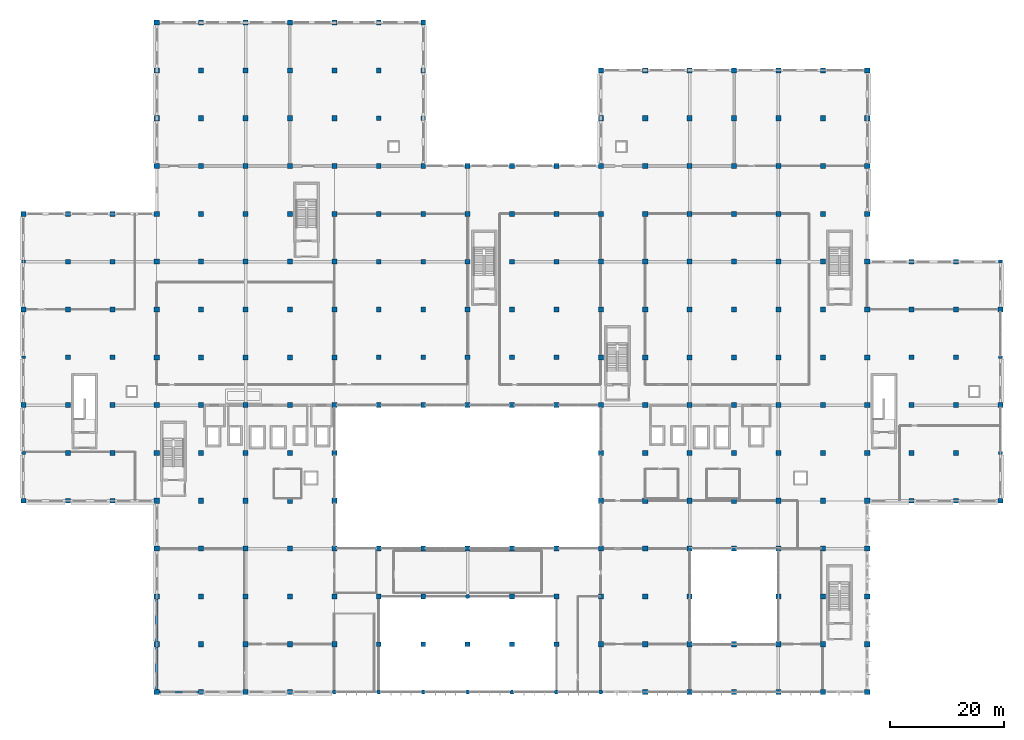
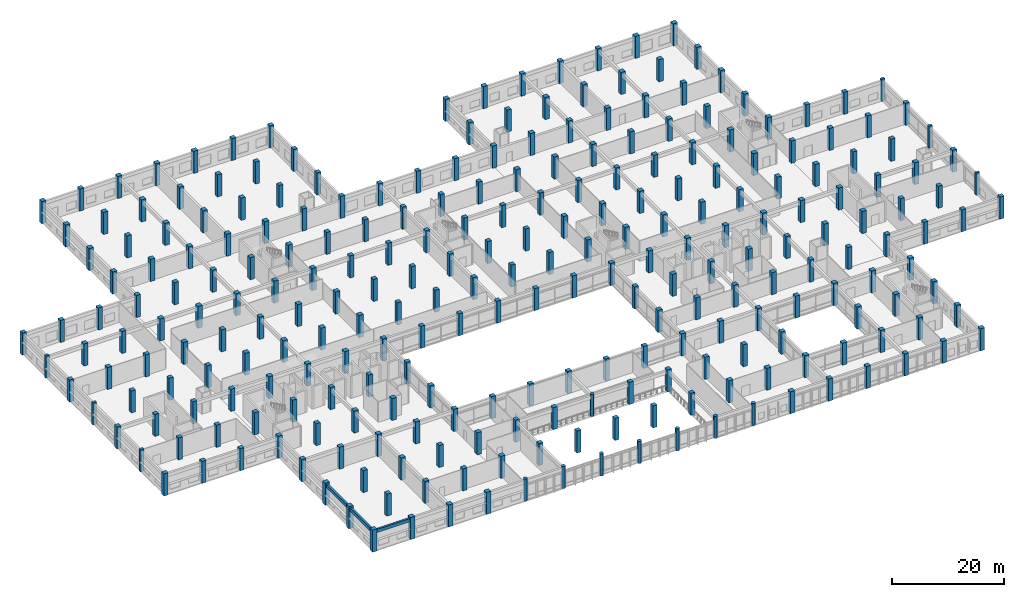
# One storey, part 1 of 79: 267 columns, 3 beams.
"""IFC4 building model written with IfcOpenShell, lengths in metres."""

from ifc_helpers import new_model, si_unit, direction, frame, origin, origin_2d, place, context, subcontext, project, spatial, rectangle, circle, extrude, material, material_profile, profile_set, type_object, element, save


model = new_model("IFC4")

# Units and contexts
model_context = context("Model", 3, precision=1e-05, world=origin(), true_north=direction((0.0, 1.0)))
body_context = subcontext(model_context, "Body", "Model", "MODEL_VIEW")
ifc_project = project(units=[si_unit("LENGTHUNIT", "METRE"), si_unit("AREAUNIT", "SQUARE_METRE"), si_unit("VOLUMEUNIT", "CUBIC_METRE"), si_unit("PLANEANGLEUNIT", "RADIAN"), si_unit("MASSUNIT", "GRAM", prefix="KILO"), si_unit("THERMODYNAMICTEMPERATUREUNIT", "KELVIN"), si_unit("POWERUNIT", "WATT")], contexts=[model_context])

# Site, building, storey
site_placement = place(None, origin())
site = spatial("IfcSite", under=ifc_project, at=site_placement, CompositionType="ELEMENT")
building_placement = place(site_placement, origin())
building = spatial("IfcBuilding", under=site, at=building_placement, Name="Srebrne Nadtorze General Hospital", CompositionType="ELEMENT")
storey_placement = place(building_placement, frame((0.0, 0.0, 4.800048828125)))
storey = spatial("IfcBuildingStorey", under=building, at=storey_placement, Name="L01", CompositionType="ELEMENT", Elevation=4.800048828125)

# Columns
ifc_material_1 = material(Name="Concrete C40/50", Category="concrete")
ifc_material_profile_1 = material_profile(ifc_material_1, rectangle(XDim=0.5, YDim=0.75, at=origin_2d()), Name="RC-PIL-500x750")
ifc_profile_set_1 = profile_set([ifc_material_profile_1], Name="Concrete C40/50")
column_type_1 = type_object("IfcColumnType", Name="Pilaster column 500x750", PredefinedType="PILASTER", material=ifc_profile_set_1)
for number, where, z_axis, x_axis, name in (
    (1, (0.0, 42.0, 0.0), (0.0, 0.0, 1.0), (0.0, 1.0, 0.0), "Column CL-L01-1-F"),
    (2, (0.0, 58.800048828125, 0.0), (0.0, 0.0, 1.0), (0.0, 1.0, 0.0), "Column CL-L01-1-H"),
    (3, (0.0, 75.60009765625, 0.0), (0.0, 0.0, 1.0), (0.0, 1.0, 0.0), "Column CL-L01-1-K"),
    (4, (171.60009765625, 42.0, 0.0), (0.0, 0.0, 1.0), (0.0, 1.0, 0.0), "Column CL-L01-23-F"),
    (5, (171.60009765625, 58.800048828125, 0.0), (0.0, 0.0, 1.0), (0.0, 1.0, 0.0), "Column CL-L01-23-H"),
    (6, (171.60009765625, 75.60009765625, 0.0), (0.0, 0.0, 1.0), (0.0, 1.0, 0.0), "Column CL-L01-23-K"),
):
    element("IfcColumn", number, at=place(storey_placement, frame(where, z_axis=z_axis, x_axis=x_axis)), inside=storey, type_object=column_type_1, Name=name, PredefinedType="PILASTER", context=body_context, shape_type="SweptSolid", body=[
        extrude(rectangle(XDim=0.5, YDim=0.75, at=origin_2d()), origin(), (0.0, 0.0, 1.0), 4.800048828125),
    ])
ifc_material_2 = material(Name="Concrete C40/50", Category="concrete")
ifc_material_profile_2 = material_profile(ifc_material_2, rectangle(XDim=0.85009765625, YDim=0.85009765625, at=origin_2d()), Name="RC-COL-850x850")
ifc_profile_set_2 = profile_set([ifc_material_profile_2], Name="Concrete C40/50")
column_type_2 = type_object("IfcColumnType", Name="Reinforced concrete column 850x850", PredefinedType="COLUMN", material=ifc_profile_set_2)
for number, where, z_axis, x_axis, name in (
    (7, (0.0, 33.60009765625, 0.0), (0.0, 0.0, 1.0), (1.0, 0.0, 0.0), "Column CL-L01-1-E"),
    (8, (0.0, 50.39990234375, 0.0), (0.0, 0.0, 1.0), (1.0, 0.0, 0.0), "Column CL-L01-1-G"),
    (9, (0.0, 67.199951171875, 0.0), (0.0, 0.0, 1.0), (1.0, 0.0, 0.0), "Column CL-L01-1-J"),
    (10, (0.0, 84.0, 0.0), (0.0, 0.0, 1.0), (1.0, 0.0, 0.0), "Column CL-L01-1-L"),
    (11, (7.800048828125, 33.60009765625, 0.0), (0.0, 0.0, 1.0), (1.0, 0.0, 0.0), "Column CL-L01-2-E"),
    (12, (7.800048828125, 42.0, 0.0), (0.0, 0.0, 1.0), (1.0, 0.0, 0.0), "Column CL-L01-2-F"),
    (13, (7.800048828125, 50.39990234375, 0.0), (0.0, 0.0, 1.0), (1.0, 0.0, 0.0), "Column CL-L01-2-G"),
    (14, (7.800048828125, 58.800048828125, 0.0), (0.0, 0.0, 1.0), (1.0, 0.0, 0.0), "Column CL-L01-2-H"),
    (15, (7.800048828125, 67.199951171875, 0.0), (0.0, 0.0, 1.0), (1.0, 0.0, 0.0), "Column CL-L01-2-J"),
    (16, (7.800048828125, 75.60009765625, 0.0), (0.0, 0.0, 1.0), (1.0, 0.0, 0.0), "Column CL-L01-2-K"),
    (17, (7.800048828125, 84.0, 0.0), (0.0, 0.0, 1.0), (1.0, 0.0, 0.0), "Column CL-L01-2-L"),
    (18, (15.60009765625, 33.60009765625, 0.0), (0.0, 0.0, 1.0), (1.0, 0.0, 0.0), "Column CL-L01-3-E"),
    (19, (15.60009765625, 42.0, 0.0), (0.0, 0.0, 1.0), (1.0, 0.0, 0.0), "Column CL-L01-3-F"),
    (20, (15.60009765625, 50.39990234375, 0.0), (0.0, 0.0, 1.0), (1.0, 0.0, 0.0), "Column CL-L01-3-G"),
    (21, (15.60009765625, 58.800048828125, 0.0), (0.0, 0.0, 1.0), (1.0, 0.0, 0.0), "Column CL-L01-3-H"),
    (22, (15.60009765625, 67.199951171875, 0.0), (0.0, 0.0, 1.0), (1.0, 0.0, 0.0), "Column CL-L01-3-J"),
    (23, (15.60009765625, 75.60009765625, 0.0), (0.0, 0.0, 1.0), (1.0, 0.0, 0.0), "Column CL-L01-3-K"),
    (24, (15.60009765625, 84.0, 0.0), (0.0, 0.0, 1.0), (1.0, 0.0, 0.0), "Column CL-L01-3-L"),
    (25, (62.39990234375, 8.39990234375, 0.0), (0.0, 0.0, 1.0), (1.0, 0.0, 0.0), "Column CL-L01-9-B"),
    (26, (62.39990234375, 16.800048828125, 0.0), (0.0, 0.0, 1.0), (1.0, 0.0, 0.0), "Column CL-L01-9-C"),
    (27, (62.39990234375, 25.199951171875, 0.0), (0.0, 0.0, 1.0), (1.0, 0.0, 0.0), "Column CL-L01-9-D"),
    (28, (62.39990234375, 50.39990234375, 0.0), (0.0, 0.0, 1.0), (1.0, 0.0, 0.0), "Column CL-L01-9-G"),
    (29, (62.39990234375, 58.800048828125, 0.0), (0.0, 0.0, 1.0), (1.0, 0.0, 0.0), "Column CL-L01-9-H"),
    (30, (62.39990234375, 67.199951171875, 0.0), (0.0, 0.0, 1.0), (1.0, 0.0, 0.0), "Column CL-L01-9-J"),
    (31, (62.39990234375, 75.60009765625, 0.0), (0.0, 0.0, 1.0), (1.0, 0.0, 0.0), "Column CL-L01-9-K"),
    (32, (62.39990234375, 84.0, 0.0), (0.0, 0.0, 1.0), (1.0, 0.0, 0.0), "Column CL-L01-9-L"),
    (33, (62.39990234375, 92.39990234375, 0.0), (0.0, 0.0, 1.0), (1.0, 0.0, 0.0), "Column CL-L01-9-M"),
    (34, (62.39990234375, 100.800048828125, 0.0), (0.0, 0.0, 1.0), (1.0, 0.0, 0.0), "Column CL-L01-9-N"),
    (35, (62.39990234375, 109.199951171875, 0.0), (0.0, 0.0, 1.0), (1.0, 0.0, 0.0), "Column CL-L01-9-P"),
    (36, (62.39990234375, 117.60009765625, 0.0), (0.0, 0.0, 1.0), (1.0, 0.0, 0.0), "Column CL-L01-9-Q"),
    (37, (70.199951171875, 8.39990234375, 0.0), (0.0, 0.0, 1.0), (1.0, 0.0, 0.0), "Column CL-L01-10-B"),
    (38, (70.199951171875, 16.800048828125, 0.0), (0.0, 0.0, 1.0), (1.0, 0.0, 0.0), "Column CL-L01-10-C"),
    (39, (70.199951171875, 25.199951171875, 0.0), (0.0, 0.0, 1.0), (1.0, 0.0, 0.0), "Column CL-L01-10-D"),
    (40, (70.199951171875, 50.39990234375, 0.0), (0.0, 0.0, 1.0), (1.0, 0.0, 0.0), "Column CL-L01-10-G"),
    (41, (70.199951171875, 58.800048828125, 0.0), (0.0, 0.0, 1.0), (1.0, 0.0, 0.0), "Column CL-L01-10-H"),
    (42, (70.199951171875, 67.199951171875, 0.0), (0.0, 0.0, 1.0), (1.0, 0.0, 0.0), "Column CL-L01-10-J"),
    (43, (70.199951171875, 75.60009765625, 0.0), (0.0, 0.0, 1.0), (1.0, 0.0, 0.0), "Column CL-L01-10-K"),
    (44, (70.199951171875, 84.0, 0.0), (0.0, 0.0, 1.0), (1.0, 0.0, 0.0), "Column CL-L01-10-L"),
    (45, (70.199951171875, 92.39990234375, 0.0), (0.0, 0.0, 1.0), (1.0, 0.0, 0.0), "Column CL-L01-10-M"),
    (46, (70.199951171875, 100.800048828125, 0.0), (0.0, 0.0, 1.0), (1.0, 0.0, 0.0), "Column CL-L01-10-N"),
    (47, (70.199951171875, 109.199951171875, 0.0), (0.0, 0.0, 1.0), (1.0, 0.0, 0.0), "Column CL-L01-10-P"),
    (48, (70.199951171875, 117.60009765625, 0.0), (0.0, 0.0, 1.0), (1.0, 0.0, 0.0), "Column CL-L01-10-Q"),
    (49, (78.0, 8.39990234375, 0.0), (0.0, 0.0, 1.0), (1.0, 0.0, 0.0), "Column CL-L01-11-B"),
    (50, (78.0, 25.199951171875, 0.0), (0.0, 0.0, 1.0), (1.0, 0.0, 0.0), "Column CL-L01-11-D"),
    (51, (78.0, 50.39990234375, 0.0), (0.0, 0.0, 1.0), (1.0, 0.0, 0.0), "Column CL-L01-11-G"),
    (52, (78.0, 58.800048828125, 0.0), (0.0, 0.0, 1.0), (1.0, 0.0, 0.0), "Column CL-L01-11-H"),
    (53, (78.0, 67.199951171875, 0.0), (0.0, 0.0, 1.0), (1.0, 0.0, 0.0), "Column CL-L01-11-J"),
    (54, (78.0, 75.60009765625, 0.0), (0.0, 0.0, 1.0), (1.0, 0.0, 0.0), "Column CL-L01-11-K"),
    (55, (78.0, 84.0, 0.0), (0.0, 0.0, 1.0), (1.0, 0.0, 0.0), "Column CL-L01-11-L"),
    (56, (78.0, 92.39990234375, 0.0), (0.0, 0.0, 1.0), (1.0, 0.0, 0.0), "Column CL-L01-11-M"),
    (57, (85.800048828125, 8.39990234375, 0.0), (0.0, 0.0, 1.0), (1.0, 0.0, 0.0), "Column CL-L01-12-B"),
    (58, (85.800048828125, 16.800048828125, 0.0), (0.0, 0.0, 1.0), (1.0, 0.0, 0.0), "Column CL-L01-12-C"),
    (59, (85.800048828125, 25.199951171875, 0.0), (0.0, 0.0, 1.0), (1.0, 0.0, 0.0), "Column CL-L01-12-D"),
    (60, (85.800048828125, 50.39990234375, 0.0), (0.0, 0.0, 1.0), (1.0, 0.0, 0.0), "Column CL-L01-12-G"),
    (61, (85.800048828125, 58.800048828125, 0.0), (0.0, 0.0, 1.0), (1.0, 0.0, 0.0), "Column CL-L01-12-H"),
    (62, (85.800048828125, 67.199951171875, 0.0), (0.0, 0.0, 1.0), (1.0, 0.0, 0.0), "Column CL-L01-12-J"),
    (63, (85.800048828125, 75.60009765625, 0.0), (0.0, 0.0, 1.0), (1.0, 0.0, 0.0), "Column CL-L01-12-K"),
    (64, (85.800048828125, 84.0, 0.0), (0.0, 0.0, 1.0), (1.0, 0.0, 0.0), "Column CL-L01-12-L"),
    (65, (85.800048828125, 92.39990234375, 0.0), (0.0, 0.0, 1.0), (1.0, 0.0, 0.0), "Column CL-L01-12-M"),
    (66, (93.60009765625, 8.39990234375, 0.0), (0.0, 0.0, 1.0), (1.0, 0.0, 0.0), "Column CL-L01-13-B"),
    (67, (93.60009765625, 16.800048828125, 0.0), (0.0, 0.0, 1.0), (1.0, 0.0, 0.0), "Column CL-L01-13-C"),
    (68, (93.60009765625, 25.199951171875, 0.0), (0.0, 0.0, 1.0), (1.0, 0.0, 0.0), "Column CL-L01-13-D"),
    (69, (93.60009765625, 50.39990234375, 0.0), (0.0, 0.0, 1.0), (1.0, 0.0, 0.0), "Column CL-L01-13-G"),
    (70, (93.60009765625, 58.800048828125, 0.0), (0.0, 0.0, 1.0), (1.0, 0.0, 0.0), "Column CL-L01-13-H"),
    (71, (93.60009765625, 67.199951171875, 0.0), (0.0, 0.0, 1.0), (1.0, 0.0, 0.0), "Column CL-L01-13-J"),
    (72, (93.60009765625, 75.60009765625, 0.0), (0.0, 0.0, 1.0), (1.0, 0.0, 0.0), "Column CL-L01-13-K"),
    (73, (93.60009765625, 84.0, 0.0), (0.0, 0.0, 1.0), (1.0, 0.0, 0.0), "Column CL-L01-13-L"),
    (74, (93.60009765625, 92.39990234375, 0.0), (0.0, 0.0, 1.0), (1.0, 0.0, 0.0), "Column CL-L01-13-M"),
    (75, (156.0, 33.60009765625, 0.0), (0.0, 0.0, 1.0), (1.0, 0.0, 0.0), "Column CL-L01-21-E"),
    (76, (156.0, 42.0, 0.0), (0.0, 0.0, 1.0), (1.0, 0.0, 0.0), "Column CL-L01-21-F"),
    (77, (156.0, 50.39990234375, 0.0), (0.0, 0.0, 1.0), (1.0, 0.0, 0.0), "Column CL-L01-21-G"),
    (78, (156.0, 58.800048828125, 0.0), (0.0, 0.0, 1.0), (1.0, 0.0, 0.0), "Column CL-L01-21-H"),
    (79, (156.0, 67.199951171875, 0.0), (0.0, 0.0, 1.0), (1.0, 0.0, 0.0), "Column CL-L01-21-J"),
    (80, (156.0, 75.60009765625, 0.0), (0.0, 0.0, 1.0), (1.0, 0.0, 0.0), "Column CL-L01-21-K"),
    (81, (163.800048828125, 33.60009765625, 0.0), (0.0, 0.0, 1.0), (1.0, 0.0, 0.0), "Column CL-L01-22-E"),
    (82, (163.800048828125, 42.0, 0.0), (0.0, 0.0, 1.0), (1.0, 0.0, 0.0), "Column CL-L01-22-F"),
    (83, (163.800048828125, 50.39990234375, 0.0), (0.0, 0.0, 1.0), (1.0, 0.0, 0.0), "Column CL-L01-22-G"),
    (84, (163.800048828125, 58.800048828125, 0.0), (0.0, 0.0, 1.0), (1.0, 0.0, 0.0), "Column CL-L01-22-H"),
    (85, (163.800048828125, 67.199951171875, 0.0), (0.0, 0.0, 1.0), (1.0, 0.0, 0.0), "Column CL-L01-22-J"),
    (86, (163.800048828125, 75.60009765625, 0.0), (0.0, 0.0, 1.0), (1.0, 0.0, 0.0), "Column CL-L01-22-K"),
    (87, (171.60009765625, 33.60009765625, 0.0), (0.0, 0.0, 1.0), (1.0, 0.0, 0.0), "Column CL-L01-23-E"),
    (88, (171.60009765625, 50.39990234375, 0.0), (0.0, 0.0, 1.0), (1.0, 0.0, 0.0), "Column CL-L01-23-G"),
    (89, (171.60009765625, 67.199951171875, 0.0), (0.0, 0.0, 1.0), (1.0, 0.0, 0.0), "Column CL-L01-23-J"),
):
    element("IfcColumn", number, at=place(storey_placement, frame(where, z_axis=z_axis, x_axis=x_axis)), inside=storey, type_object=column_type_2, Name=name, PredefinedType="COLUMN", context=body_context, shape_type="SweptSolid", body=[
        extrude(rectangle(XDim=0.85009765625, YDim=0.85009765625, at=origin_2d()), origin(), (0.0, 0.0, 1.0), 4.800048828125),
    ])
ifc_material_3 = material(Name="Concrete C40/50", Category="concrete")
ifc_material_profile_3 = material_profile(ifc_material_3, rectangle(XDim=0.89990234375, YDim=0.89990234375, at=origin_2d()), Name="RC-COL-900x900")
ifc_profile_set_3 = profile_set([ifc_material_profile_3], Name="Concrete C40/50")
column_type_3 = type_object("IfcColumnType", Name="Reinforced concrete column 900x900", PredefinedType="COLUMN", material=ifc_profile_set_3)
for number, where, z_axis, x_axis, name in (
    (90, (23.39990234375, 0.0, 0.0), (0.0, 0.0, 1.0), (1.0, 0.0, 0.0), "Column CL-L01-4-A"),
    (91, (23.39990234375, 8.39990234375, 0.0), (0.0, 0.0, 1.0), (1.0, 0.0, 0.0), "Column CL-L01-4-B"),
    (92, (23.39990234375, 16.800048828125, 0.0), (0.0, 0.0, 1.0), (1.0, 0.0, 0.0), "Column CL-L01-4-C"),
    (93, (23.39990234375, 25.199951171875, 0.0), (0.0, 0.0, 1.0), (1.0, 0.0, 0.0), "Column CL-L01-4-D"),
    (94, (23.39990234375, 33.60009765625, 0.0), (0.0, 0.0, 1.0), (1.0, 0.0, 0.0), "Column CL-L01-4-E"),
    (95, (23.39990234375, 42.0, 0.0), (0.0, 0.0, 1.0), (1.0, 0.0, 0.0), "Column CL-L01-4-F"),
    (96, (23.39990234375, 50.39990234375, 0.0), (0.0, 0.0, 1.0), (1.0, 0.0, 0.0), "Column CL-L01-4-G"),
    (97, (23.39990234375, 58.800048828125, 0.0), (0.0, 0.0, 1.0), (1.0, 0.0, 0.0), "Column CL-L01-4-H"),
    (98, (23.39990234375, 67.199951171875, 0.0), (0.0, 0.0, 1.0), (1.0, 0.0, 0.0), "Column CL-L01-4-J"),
    (99, (23.39990234375, 75.60009765625, 0.0), (0.0, 0.0, 1.0), (1.0, 0.0, 0.0), "Column CL-L01-4-K"),
    (100, (23.39990234375, 84.0, 0.0), (0.0, 0.0, 1.0), (1.0, 0.0, 0.0), "Column CL-L01-4-L"),
    (101, (23.39990234375, 92.39990234375, 0.0), (0.0, 0.0, 1.0), (1.0, 0.0, 0.0), "Column CL-L01-4-M"),
    (102, (23.39990234375, 100.800048828125, 0.0), (0.0, 0.0, 1.0), (1.0, 0.0, 0.0), "Column CL-L01-4-N"),
    (103, (23.39990234375, 109.199951171875, 0.0), (0.0, 0.0, 1.0), (1.0, 0.0, 0.0), "Column CL-L01-4-P"),
    (104, (23.39990234375, 117.60009765625, 0.0), (0.0, 0.0, 1.0), (1.0, 0.0, 0.0), "Column CL-L01-4-Q"),
    (105, (31.199951171875, 0.0, 0.0), (0.0, 0.0, 1.0), (1.0, 0.0, 0.0), "Column CL-L01-5-A"),
    (106, (31.199951171875, 8.39990234375, 0.0), (0.0, 0.0, 1.0), (1.0, 0.0, 0.0), "Column CL-L01-5-B"),
    (107, (31.199951171875, 16.800048828125, 0.0), (0.0, 0.0, 1.0), (1.0, 0.0, 0.0), "Column CL-L01-5-C"),
    (108, (31.199951171875, 25.199951171875, 0.0), (0.0, 0.0, 1.0), (1.0, 0.0, 0.0), "Column CL-L01-5-D"),
    (109, (31.199951171875, 33.60009765625, 0.0), (0.0, 0.0, 1.0), (1.0, 0.0, 0.0), "Column CL-L01-5-E"),
    (110, (31.199951171875, 42.0, 0.0), (0.0, 0.0, 1.0), (1.0, 0.0, 0.0), "Column CL-L01-5-F"),
    (111, (31.199951171875, 50.39990234375, 0.0), (0.0, 0.0, 1.0), (1.0, 0.0, 0.0), "Column CL-L01-5-G"),
    (112, (31.199951171875, 58.800048828125, 0.0), (0.0, 0.0, 1.0), (1.0, 0.0, 0.0), "Column CL-L01-5-H"),
    (113, (31.199951171875, 67.199951171875, 0.0), (0.0, 0.0, 1.0), (1.0, 0.0, 0.0), "Column CL-L01-5-J"),
    (114, (31.199951171875, 75.60009765625, 0.0), (0.0, 0.0, 1.0), (1.0, 0.0, 0.0), "Column CL-L01-5-K"),
    (115, (31.199951171875, 84.0, 0.0), (0.0, 0.0, 1.0), (1.0, 0.0, 0.0), "Column CL-L01-5-L"),
    (116, (31.199951171875, 92.39990234375, 0.0), (0.0, 0.0, 1.0), (1.0, 0.0, 0.0), "Column CL-L01-5-M"),
    (117, (31.199951171875, 100.800048828125, 0.0), (0.0, 0.0, 1.0), (1.0, 0.0, 0.0), "Column CL-L01-5-N"),
    (118, (31.199951171875, 109.199951171875, 0.0), (0.0, 0.0, 1.0), (1.0, 0.0, 0.0), "Column CL-L01-5-P"),
    (119, (31.199951171875, 117.60009765625, 0.0), (0.0, 0.0, 1.0), (1.0, 0.0, 0.0), "Column CL-L01-5-Q"),
    (120, (39.0, 0.0, 0.0), (0.0, 0.0, 1.0), (1.0, 0.0, 0.0), "Column CL-L01-6-A"),
    (121, (39.0, 8.39990234375, 0.0), (0.0, 0.0, 1.0), (1.0, 0.0, 0.0), "Column CL-L01-6-B"),
    (122, (39.0, 16.800048828125, 0.0), (0.0, 0.0, 1.0), (1.0, 0.0, 0.0), "Column CL-L01-6-C"),
    (123, (39.0, 25.199951171875, 0.0), (0.0, 0.0, 1.0), (1.0, 0.0, 0.0), "Column CL-L01-6-D"),
    (124, (39.0, 33.60009765625, 0.0), (0.0, 0.0, 1.0), (1.0, 0.0, 0.0), "Column CL-L01-6-E"),
    (125, (39.0, 42.0, 0.0), (0.0, 0.0, 1.0), (1.0, 0.0, 0.0), "Column CL-L01-6-F"),
    (126, (39.0, 50.39990234375, 0.0), (0.0, 0.0, 1.0), (1.0, 0.0, 0.0), "Column CL-L01-6-G"),
    (127, (39.0, 58.800048828125, 0.0), (0.0, 0.0, 1.0), (1.0, 0.0, 0.0), "Column CL-L01-6-H"),
    (128, (39.0, 67.199951171875, 0.0), (0.0, 0.0, 1.0), (1.0, 0.0, 0.0), "Column CL-L01-6-J"),
    (129, (39.0, 75.60009765625, 0.0), (0.0, 0.0, 1.0), (1.0, 0.0, 0.0), "Column CL-L01-6-K"),
    (130, (39.0, 84.0, 0.0), (0.0, 0.0, 1.0), (1.0, 0.0, 0.0), "Column CL-L01-6-L"),
    (131, (39.0, 92.39990234375, 0.0), (0.0, 0.0, 1.0), (1.0, 0.0, 0.0), "Column CL-L01-6-M"),
    (132, (39.0, 100.800048828125, 0.0), (0.0, 0.0, 1.0), (1.0, 0.0, 0.0), "Column CL-L01-6-N"),
    (133, (39.0, 109.199951171875, 0.0), (0.0, 0.0, 1.0), (1.0, 0.0, 0.0), "Column CL-L01-6-P"),
    (134, (39.0, 117.60009765625, 0.0), (0.0, 0.0, 1.0), (1.0, 0.0, 0.0), "Column CL-L01-6-Q"),
    (135, (46.800048828125, 0.0, 0.0), (0.0, 0.0, 1.0), (1.0, 0.0, 0.0), "Column CL-L01-7-A"),
    (136, (46.800048828125, 8.39990234375, 0.0), (0.0, 0.0, 1.0), (1.0, 0.0, 0.0), "Column CL-L01-7-B"),
    (137, (46.800048828125, 16.800048828125, 0.0), (0.0, 0.0, 1.0), (1.0, 0.0, 0.0), "Column CL-L01-7-C"),
    (138, (46.800048828125, 25.199951171875, 0.0), (0.0, 0.0, 1.0), (1.0, 0.0, 0.0), "Column CL-L01-7-D"),
    (139, (46.800048828125, 33.60009765625, 0.0), (0.0, 0.0, 1.0), (1.0, 0.0, 0.0), "Column CL-L01-7-E"),
    (140, (46.800048828125, 42.0, 0.0), (0.0, 0.0, 1.0), (1.0, 0.0, 0.0), "Column CL-L01-7-F"),
    (141, (46.800048828125, 50.39990234375, 0.0), (0.0, 0.0, 1.0), (1.0, 0.0, 0.0), "Column CL-L01-7-G"),
    (142, (46.800048828125, 58.800048828125, 0.0), (0.0, 0.0, 1.0), (1.0, 0.0, 0.0), "Column CL-L01-7-H"),
    (143, (46.800048828125, 67.199951171875, 0.0), (0.0, 0.0, 1.0), (1.0, 0.0, 0.0), "Column CL-L01-7-J"),
    (144, (46.800048828125, 75.60009765625, 0.0), (0.0, 0.0, 1.0), (1.0, 0.0, 0.0), "Column CL-L01-7-K"),
    (145, (46.800048828125, 84.0, 0.0), (0.0, 0.0, 1.0), (1.0, 0.0, 0.0), "Column CL-L01-7-L"),
    (146, (46.800048828125, 92.39990234375, 0.0), (0.0, 0.0, 1.0), (1.0, 0.0, 0.0), "Column CL-L01-7-M"),
    (147, (46.800048828125, 100.800048828125, 0.0), (0.0, 0.0, 1.0), (1.0, 0.0, 0.0), "Column CL-L01-7-N"),
    (148, (46.800048828125, 109.199951171875, 0.0), (0.0, 0.0, 1.0), (1.0, 0.0, 0.0), "Column CL-L01-7-P"),
    (149, (46.800048828125, 117.60009765625, 0.0), (0.0, 0.0, 1.0), (1.0, 0.0, 0.0), "Column CL-L01-7-Q"),
    (150, (54.60009765625, 8.39990234375, 0.0), (0.0, 0.0, 1.0), (1.0, 0.0, 0.0), "Column CL-L01-8-B"),
    (151, (54.60009765625, 16.800048828125, 0.0), (0.0, 0.0, 1.0), (1.0, 0.0, 0.0), "Column CL-L01-8-C"),
    (152, (54.60009765625, 25.199951171875, 0.0), (0.0, 0.0, 1.0), (1.0, 0.0, 0.0), "Column CL-L01-8-D"),
    (153, (54.60009765625, 33.60009765625, 0.0), (0.0, 0.0, 1.0), (1.0, 0.0, 0.0), "Column CL-L01-8-E"),
    (154, (54.60009765625, 42.0, 0.0), (0.0, 0.0, 1.0), (1.0, 0.0, 0.0), "Column CL-L01-8-F"),
    (155, (54.60009765625, 50.39990234375, 0.0), (0.0, 0.0, 1.0), (1.0, 0.0, 0.0), "Column CL-L01-8-G"),
    (156, (54.60009765625, 58.800048828125, 0.0), (0.0, 0.0, 1.0), (1.0, 0.0, 0.0), "Column CL-L01-8-H"),
    (157, (54.60009765625, 67.199951171875, 0.0), (0.0, 0.0, 1.0), (1.0, 0.0, 0.0), "Column CL-L01-8-J"),
    (158, (54.60009765625, 75.60009765625, 0.0), (0.0, 0.0, 1.0), (1.0, 0.0, 0.0), "Column CL-L01-8-K"),
    (159, (54.60009765625, 84.0, 0.0), (0.0, 0.0, 1.0), (1.0, 0.0, 0.0), "Column CL-L01-8-L"),
    (160, (54.60009765625, 92.39990234375, 0.0), (0.0, 0.0, 1.0), (1.0, 0.0, 0.0), "Column CL-L01-8-M"),
    (161, (54.60009765625, 100.800048828125, 0.0), (0.0, 0.0, 1.0), (1.0, 0.0, 0.0), "Column CL-L01-8-N"),
    (162, (54.60009765625, 109.199951171875, 0.0), (0.0, 0.0, 1.0), (1.0, 0.0, 0.0), "Column CL-L01-8-P"),
    (163, (54.60009765625, 117.60009765625, 0.0), (0.0, 0.0, 1.0), (1.0, 0.0, 0.0), "Column CL-L01-8-Q"),
    (164, (101.39990234375, 8.39990234375, 0.0), (0.0, 0.0, 1.0), (1.0, 0.0, 0.0), "Column CL-L01-14-B"),
    (165, (101.39990234375, 16.800048828125, 0.0), (0.0, 0.0, 1.0), (1.0, 0.0, 0.0), "Column CL-L01-14-C"),
    (166, (101.39990234375, 25.199951171875, 0.0), (0.0, 0.0, 1.0), (1.0, 0.0, 0.0), "Column CL-L01-14-D"),
    (167, (101.39990234375, 33.60009765625, 0.0), (0.0, 0.0, 1.0), (1.0, 0.0, 0.0), "Column CL-L01-14-E"),
    (168, (101.39990234375, 42.0, 0.0), (0.0, 0.0, 1.0), (1.0, 0.0, 0.0), "Column CL-L01-14-F"),
    (169, (101.39990234375, 50.39990234375, 0.0), (0.0, 0.0, 1.0), (1.0, 0.0, 0.0), "Column CL-L01-14-G"),
    (170, (101.39990234375, 58.800048828125, 0.0), (0.0, 0.0, 1.0), (1.0, 0.0, 0.0), "Column CL-L01-14-H"),
    (171, (101.39990234375, 67.199951171875, 0.0), (0.0, 0.0, 1.0), (1.0, 0.0, 0.0), "Column CL-L01-14-J"),
    (172, (101.39990234375, 75.60009765625, 0.0), (0.0, 0.0, 1.0), (1.0, 0.0, 0.0), "Column CL-L01-14-K"),
    (173, (101.39990234375, 84.0, 0.0), (0.0, 0.0, 1.0), (1.0, 0.0, 0.0), "Column CL-L01-14-L"),
    (174, (101.39990234375, 92.39990234375, 0.0), (0.0, 0.0, 1.0), (1.0, 0.0, 0.0), "Column CL-L01-14-M"),
    (175, (101.39990234375, 100.800048828125, 0.0), (0.0, 0.0, 1.0), (1.0, 0.0, 0.0), "Column CL-L01-14-N"),
    (176, (101.39990234375, 109.199951171875, 0.0), (0.0, 0.0, 1.0), (1.0, 0.0, 0.0), "Column CL-L01-14-P"),
    (177, (109.199951171875, 0.0, 0.0), (0.0, 0.0, 1.0), (1.0, 0.0, 0.0), "Column CL-L01-15-A"),
    (178, (109.199951171875, 8.39990234375, 0.0), (0.0, 0.0, 1.0), (1.0, 0.0, 0.0), "Column CL-L01-15-B"),
    (179, (109.199951171875, 16.800048828125, 0.0), (0.0, 0.0, 1.0), (1.0, 0.0, 0.0), "Column CL-L01-15-C"),
    (180, (109.199951171875, 25.199951171875, 0.0), (0.0, 0.0, 1.0), (1.0, 0.0, 0.0), "Column CL-L01-15-D"),
    (181, (109.199951171875, 33.60009765625, 0.0), (0.0, 0.0, 1.0), (1.0, 0.0, 0.0), "Column CL-L01-15-E"),
    (182, (109.199951171875, 42.0, 0.0), (0.0, 0.0, 1.0), (1.0, 0.0, 0.0), "Column CL-L01-15-F"),
    (183, (109.199951171875, 50.39990234375, 0.0), (0.0, 0.0, 1.0), (1.0, 0.0, 0.0), "Column CL-L01-15-G"),
    (184, (109.199951171875, 58.800048828125, 0.0), (0.0, 0.0, 1.0), (1.0, 0.0, 0.0), "Column CL-L01-15-H"),
    (185, (109.199951171875, 67.199951171875, 0.0), (0.0, 0.0, 1.0), (1.0, 0.0, 0.0), "Column CL-L01-15-J"),
    (186, (109.199951171875, 75.60009765625, 0.0), (0.0, 0.0, 1.0), (1.0, 0.0, 0.0), "Column CL-L01-15-K"),
    (187, (109.199951171875, 84.0, 0.0), (0.0, 0.0, 1.0), (1.0, 0.0, 0.0), "Column CL-L01-15-L"),
    (188, (109.199951171875, 92.39990234375, 0.0), (0.0, 0.0, 1.0), (1.0, 0.0, 0.0), "Column CL-L01-15-M"),
    (189, (109.199951171875, 100.800048828125, 0.0), (0.0, 0.0, 1.0), (1.0, 0.0, 0.0), "Column CL-L01-15-N"),
    (190, (109.199951171875, 109.199951171875, 0.0), (0.0, 0.0, 1.0), (1.0, 0.0, 0.0), "Column CL-L01-15-P"),
    (191, (117.0, 0.0, 0.0), (0.0, 0.0, 1.0), (1.0, 0.0, 0.0), "Column CL-L01-16-A"),
    (192, (117.0, 8.39990234375, 0.0), (0.0, 0.0, 1.0), (1.0, 0.0, 0.0), "Column CL-L01-16-B"),
    (193, (117.0, 16.800048828125, 0.0), (0.0, 0.0, 1.0), (1.0, 0.0, 0.0), "Column CL-L01-16-C"),
    (194, (117.0, 25.199951171875, 0.0), (0.0, 0.0, 1.0), (1.0, 0.0, 0.0), "Column CL-L01-16-D"),
    (195, (117.0, 33.60009765625, 0.0), (0.0, 0.0, 1.0), (1.0, 0.0, 0.0), "Column CL-L01-16-E"),
    (196, (117.0, 42.0, 0.0), (0.0, 0.0, 1.0), (1.0, 0.0, 0.0), "Column CL-L01-16-F"),
    (197, (117.0, 50.39990234375, 0.0), (0.0, 0.0, 1.0), (1.0, 0.0, 0.0), "Column CL-L01-16-G"),
    (198, (117.0, 58.800048828125, 0.0), (0.0, 0.0, 1.0), (1.0, 0.0, 0.0), "Column CL-L01-16-H"),
    (199, (117.0, 67.199951171875, 0.0), (0.0, 0.0, 1.0), (1.0, 0.0, 0.0), "Column CL-L01-16-J"),
    (200, (117.0, 75.60009765625, 0.0), (0.0, 0.0, 1.0), (1.0, 0.0, 0.0), "Column CL-L01-16-K"),
    (201, (117.0, 84.0, 0.0), (0.0, 0.0, 1.0), (1.0, 0.0, 0.0), "Column CL-L01-16-L"),
    (202, (117.0, 92.39990234375, 0.0), (0.0, 0.0, 1.0), (1.0, 0.0, 0.0), "Column CL-L01-16-M"),
    (203, (117.0, 100.800048828125, 0.0), (0.0, 0.0, 1.0), (1.0, 0.0, 0.0), "Column CL-L01-16-N"),
    (204, (117.0, 109.199951171875, 0.0), (0.0, 0.0, 1.0), (1.0, 0.0, 0.0), "Column CL-L01-16-P"),
    (205, (124.800048828125, 0.0, 0.0), (0.0, 0.0, 1.0), (1.0, 0.0, 0.0), "Column CL-L01-17-A"),
    (206, (124.800048828125, 8.39990234375, 0.0), (0.0, 0.0, 1.0), (1.0, 0.0, 0.0), "Column CL-L01-17-B"),
    (207, (124.800048828125, 25.199951171875, 0.0), (0.0, 0.0, 1.0), (1.0, 0.0, 0.0), "Column CL-L01-17-D"),
    (208, (124.800048828125, 33.60009765625, 0.0), (0.0, 0.0, 1.0), (1.0, 0.0, 0.0), "Column CL-L01-17-E"),
    (209, (124.800048828125, 42.0, 0.0), (0.0, 0.0, 1.0), (1.0, 0.0, 0.0), "Column CL-L01-17-F"),
    (210, (124.800048828125, 50.39990234375, 0.0), (0.0, 0.0, 1.0), (1.0, 0.0, 0.0), "Column CL-L01-17-G"),
    (211, (124.800048828125, 58.800048828125, 0.0), (0.0, 0.0, 1.0), (1.0, 0.0, 0.0), "Column CL-L01-17-H"),
    (212, (124.800048828125, 67.199951171875, 0.0), (0.0, 0.0, 1.0), (1.0, 0.0, 0.0), "Column CL-L01-17-J"),
    (213, (124.800048828125, 75.60009765625, 0.0), (0.0, 0.0, 1.0), (1.0, 0.0, 0.0), "Column CL-L01-17-K"),
    (214, (124.800048828125, 84.0, 0.0), (0.0, 0.0, 1.0), (1.0, 0.0, 0.0), "Column CL-L01-17-L"),
    (215, (124.800048828125, 92.39990234375, 0.0), (0.0, 0.0, 1.0), (1.0, 0.0, 0.0), "Column CL-L01-17-M"),
    (216, (124.800048828125, 100.800048828125, 0.0), (0.0, 0.0, 1.0), (1.0, 0.0, 0.0), "Column CL-L01-17-N"),
    (217, (124.800048828125, 109.199951171875, 0.0), (0.0, 0.0, 1.0), (1.0, 0.0, 0.0), "Column CL-L01-17-P"),
    (218, (132.60009765625, 0.0, 0.0), (0.0, 0.0, 1.0), (1.0, 0.0, 0.0), "Column CL-L01-18-A"),
    (219, (132.60009765625, 8.39990234375, 0.0), (0.0, 0.0, 1.0), (1.0, 0.0, 0.0), "Column CL-L01-18-B"),
    (220, (132.60009765625, 16.800048828125, 0.0), (0.0, 0.0, 1.0), (1.0, 0.0, 0.0), "Column CL-L01-18-C"),
    (221, (132.60009765625, 25.199951171875, 0.0), (0.0, 0.0, 1.0), (1.0, 0.0, 0.0), "Column CL-L01-18-D"),
    (222, (132.60009765625, 33.60009765625, 0.0), (0.0, 0.0, 1.0), (1.0, 0.0, 0.0), "Column CL-L01-18-E"),
    (223, (132.60009765625, 42.0, 0.0), (0.0, 0.0, 1.0), (1.0, 0.0, 0.0), "Column CL-L01-18-F"),
    (224, (132.60009765625, 50.39990234375, 0.0), (0.0, 0.0, 1.0), (1.0, 0.0, 0.0), "Column CL-L01-18-G"),
    (225, (132.60009765625, 58.800048828125, 0.0), (0.0, 0.0, 1.0), (1.0, 0.0, 0.0), "Column CL-L01-18-H"),
    (226, (132.60009765625, 67.199951171875, 0.0), (0.0, 0.0, 1.0), (1.0, 0.0, 0.0), "Column CL-L01-18-J"),
    (227, (132.60009765625, 75.60009765625, 0.0), (0.0, 0.0, 1.0), (1.0, 0.0, 0.0), "Column CL-L01-18-K"),
    (228, (132.60009765625, 84.0, 0.0), (0.0, 0.0, 1.0), (1.0, 0.0, 0.0), "Column CL-L01-18-L"),
    (229, (132.60009765625, 92.39990234375, 0.0), (0.0, 0.0, 1.0), (1.0, 0.0, 0.0), "Column CL-L01-18-M"),
    (230, (132.60009765625, 100.800048828125, 0.0), (0.0, 0.0, 1.0), (1.0, 0.0, 0.0), "Column CL-L01-18-N"),
    (231, (132.60009765625, 109.199951171875, 0.0), (0.0, 0.0, 1.0), (1.0, 0.0, 0.0), "Column CL-L01-18-P"),
    (232, (140.39990234375, 0.0, 0.0), (0.0, 0.0, 1.0), (1.0, 0.0, 0.0), "Column CL-L01-19-A"),
    (233, (140.39990234375, 8.39990234375, 0.0), (0.0, 0.0, 1.0), (1.0, 0.0, 0.0), "Column CL-L01-19-B"),
    (234, (140.39990234375, 16.800048828125, 0.0), (0.0, 0.0, 1.0), (1.0, 0.0, 0.0), "Column CL-L01-19-C"),
    (235, (140.39990234375, 25.199951171875, 0.0), (0.0, 0.0, 1.0), (1.0, 0.0, 0.0), "Column CL-L01-19-D"),
    (236, (140.39990234375, 33.60009765625, 0.0), (0.0, 0.0, 1.0), (1.0, 0.0, 0.0), "Column CL-L01-19-E"),
    (237, (140.39990234375, 42.0, 0.0), (0.0, 0.0, 1.0), (1.0, 0.0, 0.0), "Column CL-L01-19-F"),
    (238, (140.39990234375, 50.39990234375, 0.0), (0.0, 0.0, 1.0), (1.0, 0.0, 0.0), "Column CL-L01-19-G"),
    (239, (140.39990234375, 58.800048828125, 0.0), (0.0, 0.0, 1.0), (1.0, 0.0, 0.0), "Column CL-L01-19-H"),
    (240, (140.39990234375, 67.199951171875, 0.0), (0.0, 0.0, 1.0), (1.0, 0.0, 0.0), "Column CL-L01-19-J"),
    (241, (140.39990234375, 75.60009765625, 0.0), (0.0, 0.0, 1.0), (1.0, 0.0, 0.0), "Column CL-L01-19-K"),
    (242, (140.39990234375, 84.0, 0.0), (0.0, 0.0, 1.0), (1.0, 0.0, 0.0), "Column CL-L01-19-L"),
    (243, (140.39990234375, 92.39990234375, 0.0), (0.0, 0.0, 1.0), (1.0, 0.0, 0.0), "Column CL-L01-19-M"),
    (244, (140.39990234375, 100.800048828125, 0.0), (0.0, 0.0, 1.0), (1.0, 0.0, 0.0), "Column CL-L01-19-N"),
    (245, (140.39990234375, 109.199951171875, 0.0), (0.0, 0.0, 1.0), (1.0, 0.0, 0.0), "Column CL-L01-19-P"),
    (246, (148.199951171875, 0.0, 0.0), (0.0, 0.0, 1.0), (1.0, 0.0, 0.0), "Column CL-L01-20-A"),
    (247, (148.199951171875, 8.39990234375, 0.0), (0.0, 0.0, 1.0), (1.0, 0.0, 0.0), "Column CL-L01-20-B"),
    (248, (148.199951171875, 16.800048828125, 0.0), (0.0, 0.0, 1.0), (1.0, 0.0, 0.0), "Column CL-L01-20-C"),
    (249, (148.199951171875, 25.199951171875, 0.0), (0.0, 0.0, 1.0), (1.0, 0.0, 0.0), "Column CL-L01-20-D"),
    (250, (148.199951171875, 33.60009765625, 0.0), (0.0, 0.0, 1.0), (1.0, 0.0, 0.0), "Column CL-L01-20-E"),
    (251, (148.199951171875, 42.0, 0.0), (0.0, 0.0, 1.0), (1.0, 0.0, 0.0), "Column CL-L01-20-F"),
    (252, (148.199951171875, 50.39990234375, 0.0), (0.0, 0.0, 1.0), (1.0, 0.0, 0.0), "Column CL-L01-20-G"),
    (253, (148.199951171875, 58.800048828125, 0.0), (0.0, 0.0, 1.0), (1.0, 0.0, 0.0), "Column CL-L01-20-H"),
    (254, (148.199951171875, 67.199951171875, 0.0), (0.0, 0.0, 1.0), (1.0, 0.0, 0.0), "Column CL-L01-20-J"),
    (255, (148.199951171875, 75.60009765625, 0.0), (0.0, 0.0, 1.0), (1.0, 0.0, 0.0), "Column CL-L01-20-K"),
    (256, (148.199951171875, 84.0, 0.0), (0.0, 0.0, 1.0), (1.0, 0.0, 0.0), "Column CL-L01-20-L"),
    (257, (148.199951171875, 92.39990234375, 0.0), (0.0, 0.0, 1.0), (1.0, 0.0, 0.0), "Column CL-L01-20-M"),
    (258, (148.199951171875, 100.800048828125, 0.0), (0.0, 0.0, 1.0), (1.0, 0.0, 0.0), "Column CL-L01-20-N"),
    (259, (148.199951171875, 109.199951171875, 0.0), (0.0, 0.0, 1.0), (1.0, 0.0, 0.0), "Column CL-L01-20-P"),
):
    element("IfcColumn", number, at=place(storey_placement, frame(where, z_axis=z_axis, x_axis=x_axis)), inside=storey, type_object=column_type_3, Name=name, PredefinedType="COLUMN", context=body_context, shape_type="SweptSolid", body=[
        extrude(rectangle(XDim=0.89990234375, YDim=0.89990234375, at=origin_2d()), origin(), (0.0, 0.0, 1.0), 4.800048828125),
    ])
ifc_material_4 = material(Name="Concrete C40/50", Category="concrete")
ifc_material_profile_4 = material_profile(ifc_material_4, circle(Radius=0.375, at=origin_2d()), Name="RC-COL-D750")
ifc_profile_set_4 = profile_set([ifc_material_profile_4], Name="Concrete C40/50")
column_type_4 = type_object("IfcColumnType", Name="Reinforced concrete column D750", PredefinedType="COLUMN", material=ifc_profile_set_4)
for number, where, z_axis, x_axis, name in (
    (260, (54.60009765625, 0.0, 0.0), (0.0, 0.0, 1.0), (1.0, 0.0, 0.0), "Column CL-L01-8-A"),
    (261, (62.39990234375, 0.0, 0.0), (0.0, 0.0, 1.0), (1.0, 0.0, 0.0), "Column CL-L01-9-A"),
    (262, (70.199951171875, 0.0, 0.0), (0.0, 0.0, 1.0), (1.0, 0.0, 0.0), "Column CL-L01-10-A"),
    (263, (78.0, 0.0, 0.0), (0.0, 0.0, 1.0), (1.0, 0.0, 0.0), "Column CL-L01-11-A"),
    (264, (78.0, 16.800048828125, 0.0), (0.0, 0.0, 1.0), (1.0, 0.0, 0.0), "Column CL-L01-11-C"),
    (265, (85.800048828125, 0.0, 0.0), (0.0, 0.0, 1.0), (1.0, 0.0, 0.0), "Column CL-L01-12-A"),
    (266, (93.60009765625, 0.0, 0.0), (0.0, 0.0, 1.0), (1.0, 0.0, 0.0), "Column CL-L01-13-A"),
    (267, (101.39990234375, 0.0, 0.0), (0.0, 0.0, 1.0), (1.0, 0.0, 0.0), "Column CL-L01-14-A"),
):
    element("IfcColumn", number, at=place(storey_placement, frame(where, z_axis=z_axis, x_axis=x_axis)), inside=storey, type_object=column_type_4, Name=name, PredefinedType="COLUMN", context=body_context, shape_type="SweptSolid", body=[
        extrude(circle(Radius=0.375, at=origin_2d()), origin(), (0.0, 0.0, 1.0), 4.800048828125),
    ])

# Beams
ifc_material_5 = material(Name="Concrete C40/50", Category="concrete")
ifc_material_profile_5 = material_profile(ifc_material_5, rectangle(XDim=0.39990234375, YDim=0.699951171875, at=origin_2d()), Name="RC-BM-400x700")
ifc_profile_set_5 = profile_set([ifc_material_profile_5], Name="Concrete C40/50")
beam_type = type_object("IfcBeamType", Name="Edge beam RC 400x700", PredefinedType="BEAM", material=ifc_profile_set_5)
beam_placement = place(storey_placement, frame((23.85009765625, 0.0, 4.099853515625), z_axis=(1.0, 0.0, 0.0), x_axis=(0.0, 1.0, 0.0)))
element("IfcBeam", 268, at=beam_placement, inside=storey, type_object=beam_type, Name="Beam BM-L01-X-0366", PredefinedType="BEAM", context=body_context, shape_type="SweptSolid", body=[
    extrude(rectangle(XDim=0.39990234375, YDim=0.699951171875, at=origin_2d()), origin(), (0.0, 0.0, 1.0), 6.89990234375),
])
for number, where, z_axis, x_axis, name in (
    (269, (23.39990234375, 0.449951171875, 4.099853515625), (0.0, 1.0, 0.0), (-1.0, 0.0, 0.0), "Beam BM-L01-Y-0471"),
    (270, (23.39990234375, 8.85009765625, 4.099853515625), (0.0, 1.0, 0.0), (-1.0, 0.0, 0.0), "Beam BM-L01-Y-0472"),
):
    element("IfcBeam", number, at=place(storey_placement, frame(where, z_axis=z_axis, x_axis=x_axis)), inside=storey, type_object=beam_type, Name=name, PredefinedType="BEAM", context=body_context, shape_type="SweptSolid", body=[
        extrude(rectangle(XDim=0.39990234375, YDim=0.699951171875, at=origin_2d()), origin(), (0.0, 0.0, 1.0), 7.5),
    ])

save(model, "model.ifc")
